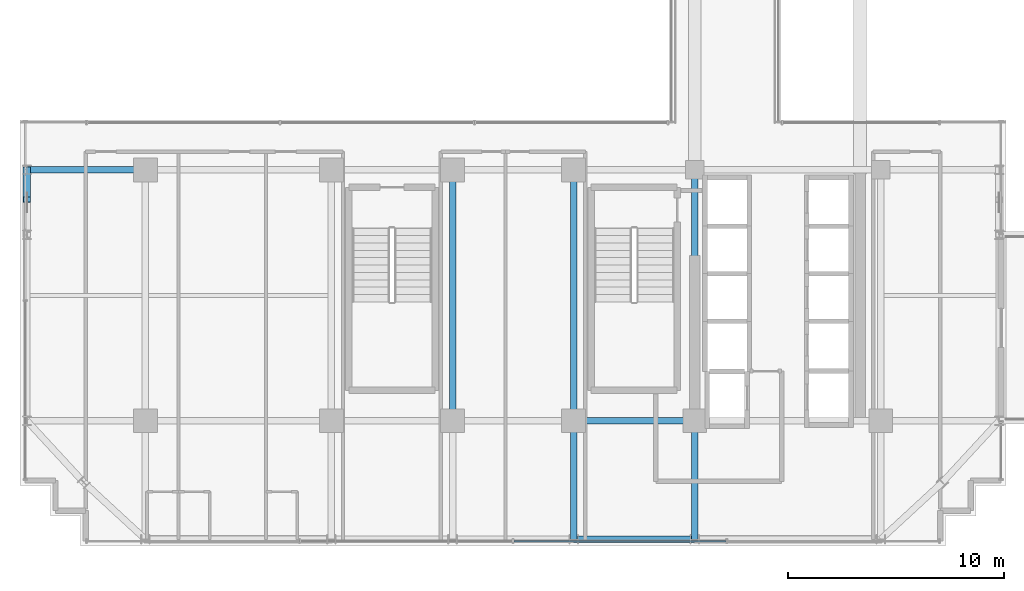
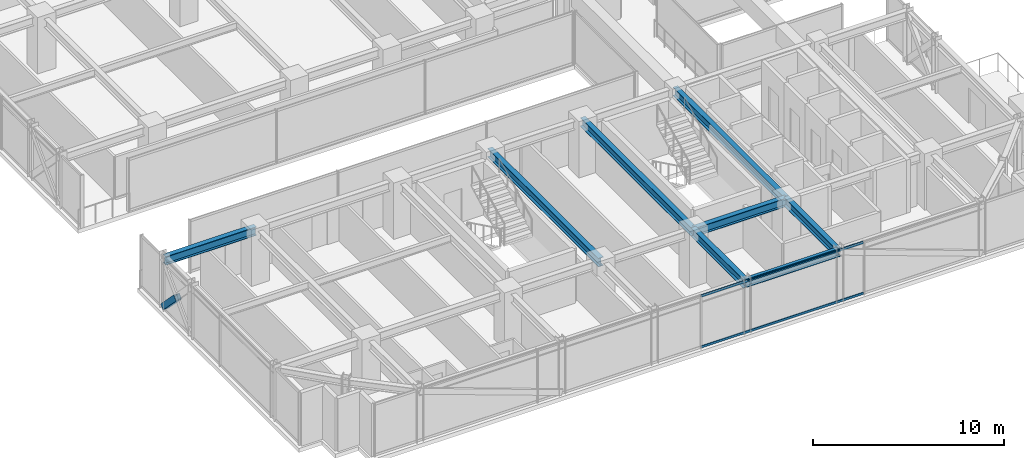
# One storey, part 7 of 36: 8 beams, 3 members, 1 element without a shape of its own.
"""IFC4 building model written with IfcOpenShell, lengths in metres."""

from ifc_helpers import new_model, si_unit, direction, frame, origin, origin_2d, place, context, subcontext, project, spatial, hollow_rectangle, i_section, extrude, source, transform, mapped, material, material_profile, profile_set, type_object, element, aggregate, save


model = new_model("IFC4")

# Units and contexts
model_context = context("Model", 3, precision=1e-05, world=origin(), true_north=direction((0.0, 1.0)))
body_context = subcontext(model_context, "Body", "Model", "MODEL_VIEW")
ifc_project = project(units=[si_unit("LENGTHUNIT", "METRE"), si_unit("AREAUNIT", "SQUARE_METRE"), si_unit("VOLUMEUNIT", "CUBIC_METRE"), si_unit("PLANEANGLEUNIT", "RADIAN"), si_unit("MASSUNIT", "GRAM", prefix="KILO")], contexts=[model_context])

# Site, building, storey
site_placement = place(None, origin())
site = spatial("IfcSite", under=ifc_project, at=site_placement, CompositionType="ELEMENT")
building_placement = place(site_placement, origin())
building = spatial("IfcBuilding", under=site, at=building_placement, Name="Nahalor Promenade Grand Hotel", CompositionType="ELEMENT")
storey_placement = place(building_placement, frame((0.0, 0.0, 174.550048828125)))
storey = spatial("IfcBuildingStorey", under=building, at=storey_placement, Name="L44", CompositionType="ELEMENT", Elevation=174.550048828125)

# Beams
ifc_material_1 = material(Name="Steel S355JR", Category="steel")
ifc_material_profile_1 = material_profile(ifc_material_1, i_section(OverallWidth=0.3, OverallDepth=0.55, WebThickness=0.015, FlangeThickness=0.029, at=origin_2d()), Name="HEB 550")
ifc_profile_set_1 = profile_set([ifc_material_profile_1], Name="Steel S355JR")
beam_type_1 = type_object("IfcBeamType", Name="Beam-Girder-HEB550", PredefinedType="BEAM", material=ifc_profile_set_1)
shared_shape_1 = source(origin(), body_context, "Body", "SweptSolid", [
    extrude(i_section(OverallWidth=0.3, OverallDepth=0.55, WebThickness=0.015, FlangeThickness=0.029, at=origin_2d()), origin(), (0.0, 0.0, 1.0), 5.599853515625),
])
beam_1_placement = place(storey_placement, frame((2.800048828125, -17.0, 3.114990234375), z_axis=(1.0, 0.0, 0.0), x_axis=(0.0, 1.0, 0.0)))
element("IfcBeam", 1, at=beam_1_placement, inside=storey, type_object=beam_type_1, Name="BM-L44-GX-0-4", PredefinedType="BEAM", context=body_context, shape_type="MappedRepresentation", body=[
    mapped(shared_shape_1, transform((0.0, 0.0, 0.0), scale=1.0)),
])
shared_shape_2 = source(origin(), body_context, "Body", "SweptSolid", [
    extrude(i_section(OverallWidth=0.3, OverallDepth=0.55, WebThickness=0.015, FlangeThickness=0.029, at=origin_2d()), origin(), (0.0, 0.0, 1.0), 11.60009765625),
])
for number, where, z_axis, x_axis, name in (
    (2, (-2.800048828125, -17.0, 3.114990234375), (0.0, 1.0, 0.0), (-1.0, 0.0, 0.0), "BM-L44-GY-2-1"),
    (3, (2.800048828125, -17.0, 3.114990234375), (0.0, 1.0, 0.0), (-1.0, 0.0, 0.0), "BM-L44-GY-3-1"),
    (4, (8.39990234375, -17.0, 3.114990234375), (0.0, 1.0, 0.0), (-1.0, 0.0, 0.0), "BM-L44-GY-4-1"),
):
    element("IfcBeam", number, at=place(storey_placement, frame(where, z_axis=z_axis, x_axis=x_axis)), inside=storey, type_object=beam_type_1, Name=name, PredefinedType="BEAM", context=body_context, shape_type="MappedRepresentation", body=[
        mapped(shared_shape_2, transform((0.0, 0.0, 0.0), scale=1.0)),
    ])
shared_shape_3 = source(origin(), body_context, "Body", "SweptSolid", [
    extrude(i_section(OverallWidth=0.3, OverallDepth=0.55, WebThickness=0.015, FlangeThickness=0.029, at=origin_2d()), origin(), (0.0, 0.0, 1.0), 5.47998046875),
])
for number, where, z_axis, x_axis, name in (
    (5, (-22.47998046875, -5.39990234375, 3.114990234375), (1.0, 0.0, 0.0), (0.0, 1.0, 0.0), "BM-L44-GX-1-0"),
    (6, (2.800048828125, -22.47998046875, 3.114990234375), (0.0, 1.0, 0.0), (-1.0, 0.0, 0.0), "BM-L44-GY-3-0"),
    (7, (8.39990234375, -22.47998046875, 3.114990234375), (0.0, 1.0, 0.0), (-1.0, 0.0, 0.0), "BM-L44-GY-4-0"),
):
    element("IfcBeam", number, at=place(storey_placement, frame(where, z_axis=z_axis, x_axis=x_axis)), inside=storey, type_object=beam_type_1, Name=name, PredefinedType="BEAM", context=body_context, shape_type="MappedRepresentation", body=[
        mapped(shared_shape_3, transform((0.0, 0.0, 0.0), scale=1.0)),
    ])
ifc_material_profile_2 = material_profile(ifc_material_1, i_section(OverallWidth=0.3, OverallDepth=0.45, WebThickness=0.014, FlangeThickness=0.026, at=origin_2d()), Name="HEB 450")
ifc_profile_set_2 = profile_set([ifc_material_profile_2], Name="Steel S355JR")
beam_type_2 = type_object("IfcBeamType", Name="Beam-Spandrel-HEB450", PredefinedType="SPANDREL", material=ifc_profile_set_2)
shared_shape_4 = source(origin(), body_context, "Body", "SweptSolid", [
    extrude(i_section(OverallWidth=0.3, OverallDepth=0.45, WebThickness=0.014, FlangeThickness=0.026, at=origin_2d()), origin(), (0.0, 0.0, 1.0), 5.599853515625),
])
beam_2_placement = place(storey_placement, frame((2.800048828125, -22.47998046875, 3.1650390625), z_axis=(1.0, 0.0, 0.0), x_axis=(0.0, 1.0, 0.0)))
element("IfcBeam", 8, at=beam_2_placement, inside=storey, type_object=beam_type_2, Name="BM-L44-SP-S-3", PredefinedType="SPANDREL", context=body_context, shape_type="MappedRepresentation", body=[
    mapped(shared_shape_4, transform((0.0, 0.0, 0.0), scale=1.0)),
])

# Member
ifc_material_profile_3 = material_profile(ifc_material_1, hollow_rectangle(XDim=0.35, YDim=0.35, WallThickness=0.02, at=origin_2d()), Name="SHS 350x350x20")
ifc_profile_set_3 = profile_set([ifc_material_profile_3], Name="Steel S355JR")
member_type_1 = type_object("IfcMemberType", Name="Mem-VoidBrace-SHS350", PredefinedType="BRACE", material=ifc_profile_set_3)
shared_shape_5 = source(origin(), body_context, "Body", "SweptSolid", [
    extrude(hollow_rectangle(XDim=0.35, YDim=0.35, WallThickness=0.02, at=origin_2d()), origin(), (0.0, 0.0, 1.0), 1.966552734375),
])
member_1_placement = place(storey_placement, frame((-22.47998046875, -5.39990234375, 0.14990234375), z_axis=(0.0, -0.696601340579, 0.71745841155), x_axis=(1.0, 0.0, 0.0)))
element("IfcMember", 9, at=member_1_placement, inside=storey, type_object=member_type_1, Name="EXO-L44-VX2-W0A", PredefinedType="BRACE", context=body_context, shape_type="MappedRepresentation", body=[
    mapped(shared_shape_5, transform((0.0, 0.0, 0.0), scale=1.0)),
])

# Curtain wall, members
ifc_material_2 = material(Name="Anodised Bronze Aluminium EN AW-6063 T6", Category="aluminium")
curtain_wall_type = type_object("IfcCurtainWallType", Name="CW3 Elliptical-Void Collar Unitised Curtain Wall", PredefinedType="USERDEFINED", material=ifc_material_2)
curtain_wall_placement = place(storey_placement, origin())
curtain_wall = element("IfcCurtainWall", 10, at=curtain_wall_placement, inside=storey, type_object=curtain_wall_type, Name="L44 Curtain Wall CW-L44-S-1", ObjectType="UNITISED_CURTAIN_WALL", PredefinedType="USERDEFINED")
ifc_material_profile_4 = material_profile(ifc_material_2, hollow_rectangle(XDim=0.07, YDim=0.14, WallThickness=0.004, at=origin_2d()), Name="CWT 70x140x4")
ifc_profile_set_4 = profile_set([ifc_material_profile_4], Name="Anodised Bronze Aluminium EN AW-6063 T6")
member_type_2 = type_object("IfcMemberType", Name="CWT3 Void Collar Transom 70x140", PredefinedType="USERDEFINED", material=ifc_profile_set_4)
shared_shape_6 = source(origin(), body_context, "Body", "SweptSolid", [
    extrude(hollow_rectangle(XDim=0.07, YDim=0.14, WallThickness=0.004, at=origin_2d()), origin(), (0.0, 0.0, 1.0), 9.81005859375),
])
member_2_placement = place(storey_placement, frame((0.034912109375, -22.56005859375, 0.070068359375), z_axis=(1.0, 0.0, 0.0), x_axis=(0.0, 1.0, 0.0)))
member_2 = element("IfcMember", 11, at=member_2_placement, type_object=member_type_2, Name="CW-L44-S-1 Transom 2-0", ObjectType="TRANSOM", PredefinedType="USERDEFINED", context=body_context, shape_type="MappedRepresentation", body=[
    mapped(shared_shape_6, transform((0.0, 0.0, 0.0), scale=1.0)),
])
member_3_placement = place(storey_placement, frame((0.034912109375, -22.56005859375, 3.320068359375), z_axis=(1.0, 0.0, 0.0), x_axis=(0.0, 1.0, 0.0)))
member_3 = element("IfcMember", 12, at=member_3_placement, type_object=member_type_2, Name="CW-L44-S-1 Transom 2-1", ObjectType="TRANSOM", PredefinedType="USERDEFINED", context=body_context, shape_type="MappedRepresentation", body=[
    mapped(shared_shape_6, transform((0.0, 0.0, 0.0), scale=1.0)),
])
aggregate(curtain_wall, [member_2, member_3])

save(model, "model.ifc")
